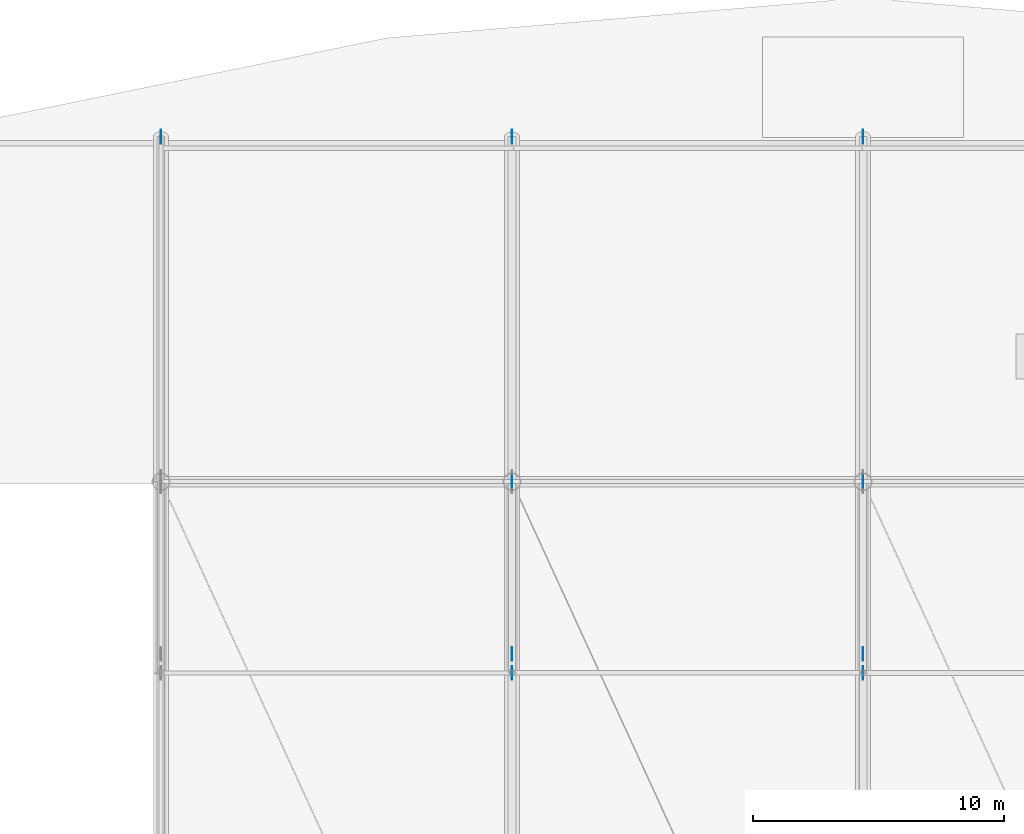
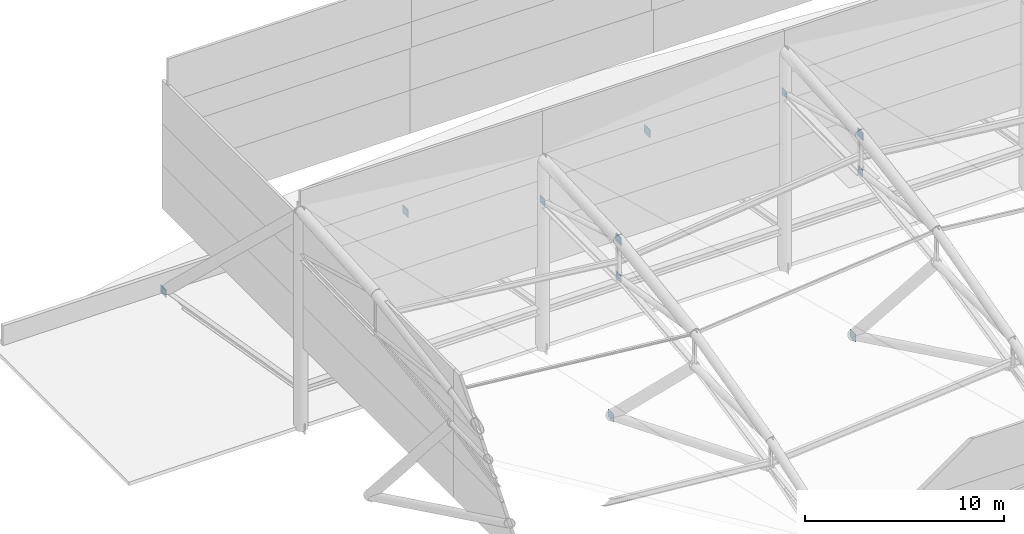
# One storey, part 95 of 113: 11 plates.
"""IFC4 building model written with IfcOpenShell, lengths in metres."""

from ifc_helpers import new_model, si_unit, direction, frame, origin, origin_2d, place, context, subcontext, project, spatial, rectangle, extrude, material, layer, layer_set, type_object, element, save


model = new_model("IFC4")

# Units and contexts
model_context = context("Model", 3, precision=1e-05, world=origin(), true_north=direction((0.0, 1.0)))
body_context = subcontext(model_context, "Body", "Model", "MODEL_VIEW")
ifc_project = project(units=[si_unit("LENGTHUNIT", "METRE"), si_unit("AREAUNIT", "SQUARE_METRE"), si_unit("VOLUMEUNIT", "CUBIC_METRE"), si_unit("PLANEANGLEUNIT", "RADIAN"), si_unit("MASSUNIT", "GRAM", prefix="KILO")], contexts=[model_context])

# Site, building, storey
site_placement = place(None, origin())
site = spatial("IfcSite", under=ifc_project, at=site_placement, CompositionType="ELEMENT")
building_placement = place(site_placement, origin())
building = spatial("IfcBuilding", under=site, at=building_placement, Name="Linyun Crest Stadium", CompositionType="ELEMENT")
storey_placement = place(building_placement, frame((0.0, 0.0, 26.39990234375)))
storey = spatial("IfcBuildingStorey", under=building, at=storey_placement, Name="L06", CompositionType="ELEMENT", Elevation=26.39990234375)

# Plates
ifc_material_1 = material(Name="Steel Q355C", Category="steel")
ifc_layer_1 = layer(ifc_material_1, 0.02392578125)
ifc_layer_set_1 = layer_set([ifc_layer_1], Name="Steel Q355C")
plate_type_1 = type_object("IfcPlateType", Name="NP01", PredefinedType="USERDEFINED", material=ifc_layer_set_1)
for number, where, z_axis, x_axis, name in (
    (1, (-14.0, 91.5, 8.530029296875), (0.0, 0.0, 1.0), (0.0, 1.0, 0.0), "Roof bottom-chord node gusset plate NP01 229"),
    (2, (-14.0, 83.875, 8.51611328125), (0.0, 0.0, 1.0), (0.0, 1.0, 0.0), "Roof bottom-chord node gusset plate NP01 230"),
    (3, (0.0, 91.5, 10.230224609375), (0.0, 0.0, 1.0), (0.0, 1.0, 0.0), "Roof bottom-chord node gusset plate NP01 242"),
    (4, (0.0, 83.875, 10.068115234375), (0.0, 0.0, 1.0), (0.0, 1.0, 0.0), "Roof bottom-chord node gusset plate NP01 243"),
):
    element("IfcPlate", number, at=place(storey_placement, frame(where, z_axis=z_axis, x_axis=x_axis)), inside=storey, type_object=plate_type_1, Name=name, ObjectType="GUSSET PLATE", PredefinedType="USERDEFINED", context=body_context, shape_type="SweptSolid", body=[
        extrude(rectangle(XDim=0.47998046875, YDim=0.02392578125, at=origin_2d()), origin(), (0.0, 0.0, 1.0), 0.43994140625),
    ])
ifc_material_2 = material(Name="Steel Q420C", Category="steel")
ifc_layer_2 = layer(ifc_material_2, 0.028076171875)
ifc_layer_set_2 = layer_set([ifc_layer_2], Name="Steel Q420C")
plate_type_2 = type_object("IfcPlateType", Name="NP02", PredefinedType="USERDEFINED", material=ifc_layer_set_2)
for number, where, z_axis, x_axis, name in (
    (5, (-14.0, 83.875, 10.7841796875), (0.0, 0.0, 1.0), (0.0, 1.0, 0.0), "Roof truss node gusset plate NP02 224"),
    (6, (-14.0, 84.625, -0.454833984375), (0.0, 0.0, 1.0), (0.0, 1.0, 0.0), "Roof V-strut base gusset plate NP02 234"),
    (7, (0.0, 83.875, 12.336181640625), (0.0, 0.0, 1.0), (0.0, 1.0, 0.0), "Roof truss node gusset plate NP02 237"),
    (8, (0.0, 84.625, -0.454833984375), (0.0, 0.0, 1.0), (0.0, 1.0, 0.0), "Roof V-strut base gusset plate NP02 247"),
):
    element("IfcPlate", number, at=place(storey_placement, frame(where, z_axis=z_axis, x_axis=x_axis)), inside=storey, type_object=plate_type_2, Name=name, ObjectType="GUSSET PLATE", PredefinedType="USERDEFINED", context=body_context, shape_type="SweptSolid", body=[
        extrude(rectangle(XDim=0.5400390625, YDim=0.028076171875, at=origin_2d()), origin(), (0.0, 0.0, 1.0), 0.47998046875),
    ])
ifc_material_3 = material(Name="Steel Q420C", Category="steel")
ifc_layer_3 = layer(ifc_material_3, 0.031982421875)
ifc_layer_set_3 = layer_set([ifc_layer_3], Name="Steel Q420C")
plate_type_3 = type_object("IfcPlateType", Name="NP03", PredefinedType="USERDEFINED", material=ifc_layer_set_3)
for number, where, z_axis, x_axis, name in (
    (9, (-28.0, 105.25, -0.454833984375), (0.0, 0.0, 1.0), (0.0, 1.0, 0.0), "Roof back-stay anchor gusset plate NP03 215"),
    (10, (-14.0, 105.25, -0.454833984375), (0.0, 0.0, 1.0), (0.0, 1.0, 0.0), "Roof back-stay anchor gusset plate NP03 228"),
    (11, (0.0, 105.25, -0.454833984375), (0.0, 0.0, 1.0), (0.0, 1.0, 0.0), "Roof back-stay anchor gusset plate NP03 241"),
):
    element("IfcPlate", number, at=place(storey_placement, frame(where, z_axis=z_axis, x_axis=x_axis)), inside=storey, type_object=plate_type_3, Name=name, ObjectType="GUSSET PLATE", PredefinedType="USERDEFINED", context=body_context, shape_type="SweptSolid", body=[
        extrude(rectangle(XDim=0.56005859375, YDim=0.031982421875, at=origin_2d()), origin(), (0.0, 0.0, 1.0), 0.47998046875),
    ])

save(model, "model.ifc")
